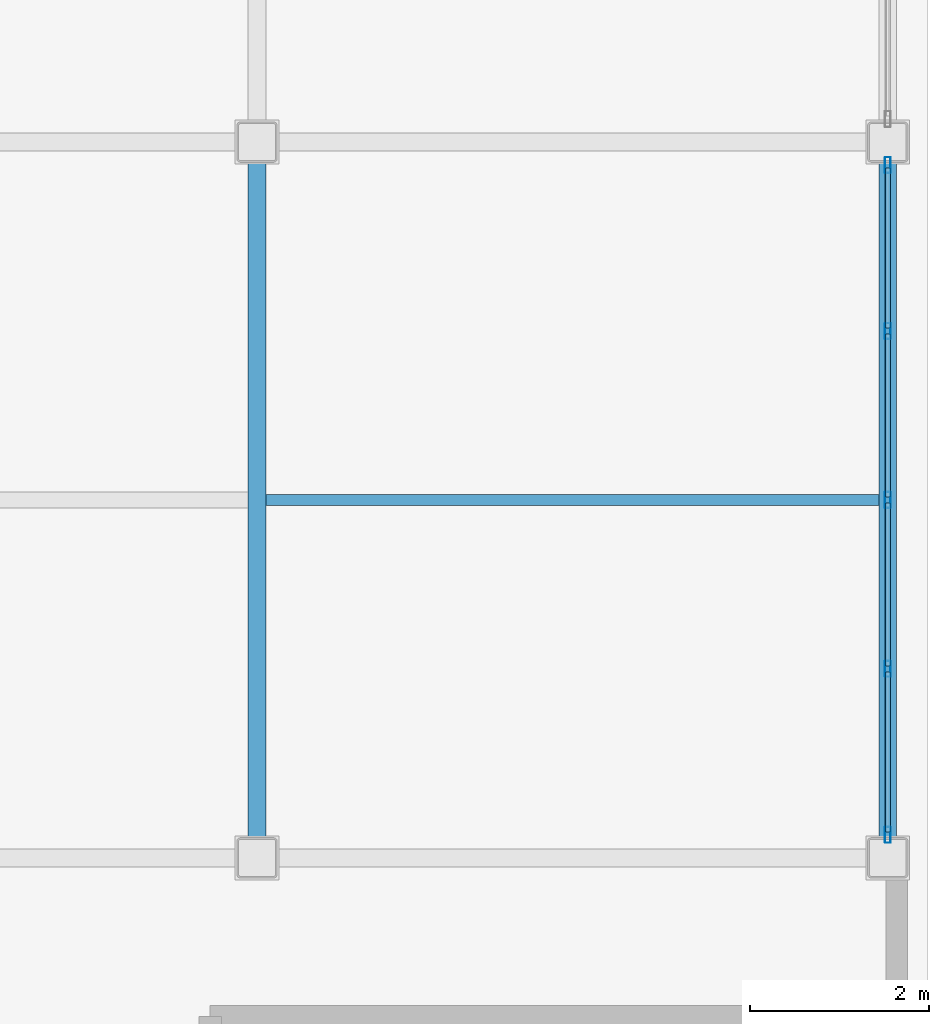
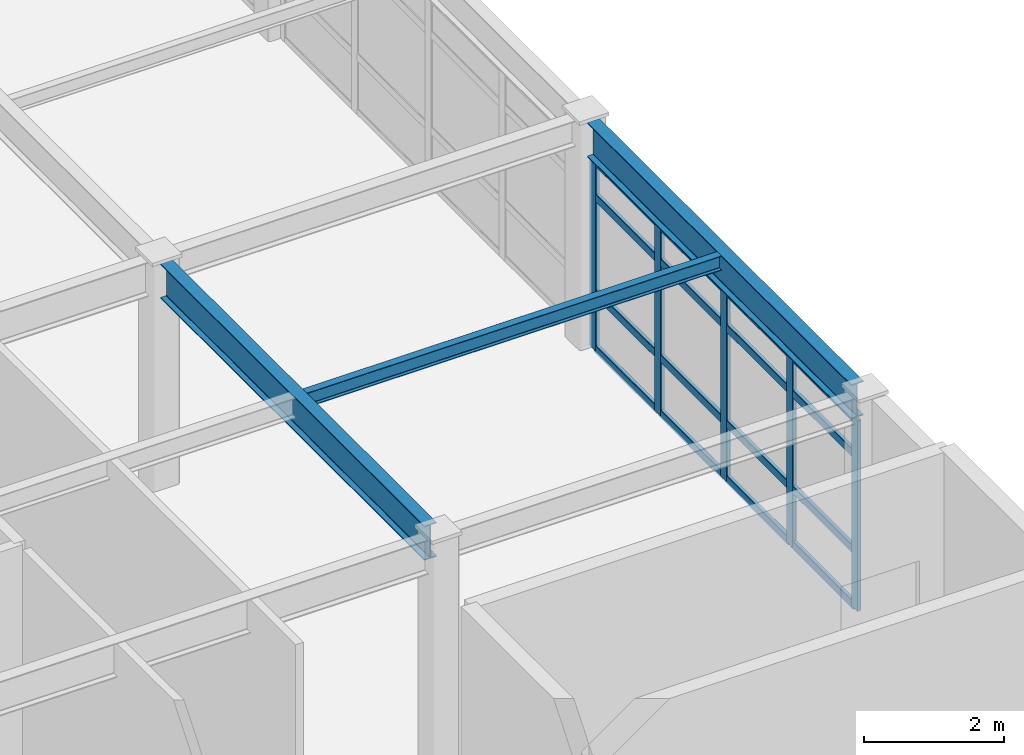
# One storey, part 8 of 34: 21 members, 3 beams, 1 element without a shape of its own.
"""IFC4 building model written with IfcOpenShell, lengths in metres."""

from ifc_helpers import new_model, si_unit, direction, frame, origin, origin_2d, place, context, subcontext, project, spatial, hollow_rectangle, i_section, extrude, material, layer, layer_set, material_profile, profile_set, type_object, element, aggregate, save


model = new_model("IFC4")

# Units and contexts
model_context = context("Model", 3, precision=1e-05, world=origin(), true_north=direction((0.0, 1.0)))
body_context = subcontext(model_context, "Body", "Model", "MODEL_VIEW")
ifc_project = project(units=[si_unit("LENGTHUNIT", "METRE"), si_unit("AREAUNIT", "SQUARE_METRE"), si_unit("VOLUMEUNIT", "CUBIC_METRE"), si_unit("PLANEANGLEUNIT", "RADIAN"), si_unit("MASSUNIT", "GRAM", prefix="KILO")], contexts=[model_context])

# Site, building, storey
site_placement = place(None, origin())
site = spatial("IfcSite", under=ifc_project, at=site_placement, CompositionType="ELEMENT")
building_placement = place(site_placement, origin())
building = spatial("IfcBuilding", under=site, at=building_placement, Name="Kazehara Bluff Congress Hotel", CompositionType="ELEMENT")
storey_placement = place(building_placement, frame((0.0, 0.0, 46.199951171875)))
storey = spatial("IfcBuildingStorey", under=building, at=storey_placement, Name="L11", CompositionType="ELEMENT", Elevation=46.199951171875)

# Curtain wall, members
ifc_material_1 = material(Name="Anodised aluminium", Category="aluminium")
ifc_layer = layer(ifc_material_1, 0.159912109375)
ifc_layer_set = layer_set([ifc_layer], Name="Anodised aluminium")
curtain_wall_type = type_object("IfcCurtainWallType", Name="TP-CW-84", PredefinedType="NOTDEFINED", material=ifc_layer_set)
curtain_wall_placement = place(storey_placement, origin())
curtain_wall = element("IfcCurtainWall", 1, at=curtain_wall_placement, inside=storey, type_object=curtain_wall_type, Name="L11 curtain wall CW-84 CW-V5-L11-X16755-2422", PredefinedType="NOTDEFINED")
ifc_material_2 = material(Name="Anodised aluminium", Category="aluminium")
ifc_material_profile_1 = material_profile(ifc_material_2, hollow_rectangle(XDim=0.06494140625, YDim=0.179931640625, WallThickness=0.00390625, InnerFilletRadius=0.00390625, OuterFilletRadius=0.008056640625, at=origin_2d()))
ifc_profile_set_1 = profile_set([ifc_material_profile_1], Name="Anodised aluminium")
member_type_1 = type_object("IfcMemberType", Name="TP-CWM-02", PredefinedType="MULLION", material=ifc_profile_set_1)
member_1_placement = place(storey_placement, frame((167.550048828125, 24.257568359375, 0.0), z_axis=(0.0, 0.0, 1.0), x_axis=(-1.0, 0.0, 0.0)))
member_1 = element("IfcMember", 2, at=member_1_placement, type_object=member_type_1, Name="CW-84 mullion 1", PredefinedType="MULLION", context=body_context, shape_type="SweptSolid", body=[
    extrude(hollow_rectangle(XDim=0.06494140625, YDim=0.179931640625, WallThickness=0.00390625, InnerFilletRadius=0.00390625, OuterFilletRadius=0.008056640625, at=origin_2d()), origin(), (0.0, 0.0, 1.0), 3.324951171875),
])
member_2_placement = place(storey_placement, frame((167.550048828125, 26.112548828125, 0.0), z_axis=(0.0, 0.0, 1.0), x_axis=(-1.0, 0.0, 0.0)))
member_2 = element("IfcMember", 3, at=member_2_placement, type_object=member_type_1, Name="CW-84 mullion 2", PredefinedType="MULLION", context=body_context, shape_type="SweptSolid", body=[
    extrude(hollow_rectangle(XDim=0.06494140625, YDim=0.179931640625, WallThickness=0.00390625, InnerFilletRadius=0.00390625, OuterFilletRadius=0.008056640625, at=origin_2d()), origin(), (0.0, 0.0, 1.0), 3.324951171875),
])
member_3_placement = place(storey_placement, frame((167.550048828125, 28.0, 0.0), z_axis=(0.0, 0.0, 1.0), x_axis=(-1.0, 0.0, 0.0)))
member_3 = element("IfcMember", 4, at=member_3_placement, type_object=member_type_1, Name="CW-84 mullion 3", PredefinedType="MULLION", context=body_context, shape_type="SweptSolid", body=[
    extrude(hollow_rectangle(XDim=0.06494140625, YDim=0.179931640625, WallThickness=0.00390625, InnerFilletRadius=0.00390625, OuterFilletRadius=0.008056640625, at=origin_2d()), origin(), (0.0, 0.0, 1.0), 3.324951171875),
])
member_4_placement = place(storey_placement, frame((167.550048828125, 29.887451171875, 0.0), z_axis=(0.0, 0.0, 1.0), x_axis=(-1.0, 0.0, 0.0)))
member_4 = element("IfcMember", 5, at=member_4_placement, type_object=member_type_1, Name="CW-84 mullion 4", PredefinedType="MULLION", context=body_context, shape_type="SweptSolid", body=[
    extrude(hollow_rectangle(XDim=0.06494140625, YDim=0.179931640625, WallThickness=0.00390625, InnerFilletRadius=0.00390625, OuterFilletRadius=0.008056640625, at=origin_2d()), origin(), (0.0, 0.0, 1.0), 3.324951171875),
])
member_5_placement = place(storey_placement, frame((167.550048828125, 31.742431640625, 0.0), z_axis=(0.0, 0.0, 1.0), x_axis=(-1.0, 0.0, 0.0)))
member_5 = element("IfcMember", 6, at=member_5_placement, type_object=member_type_1, Name="CW-84 mullion 5", PredefinedType="MULLION", context=body_context, shape_type="SweptSolid", body=[
    extrude(hollow_rectangle(XDim=0.06494140625, YDim=0.179931640625, WallThickness=0.00390625, InnerFilletRadius=0.00390625, OuterFilletRadius=0.008056640625, at=origin_2d()), origin(), (0.0, 0.0, 1.0), 3.324951171875),
])
ifc_material_3 = material(Name="Anodised aluminium", Category="aluminium")
ifc_material_profile_2 = material_profile(ifc_material_3, hollow_rectangle(XDim=0.06494140625, YDim=0.139892578125, WallThickness=0.00390625, InnerFilletRadius=0.00390625, OuterFilletRadius=0.008056640625, at=origin_2d()))
ifc_profile_set_2 = profile_set([ifc_material_profile_2], Name="Anodised aluminium")
member_type_2 = type_object("IfcMemberType", Name="TP-CWT-02", PredefinedType="USERDEFINED", material=ifc_profile_set_2)
member_6_placement = place(storey_placement, frame((167.550048828125, 24.2900390625, 0.032470703125), z_axis=(0.0, 1.0, 0.0), x_axis=(-1.0, 0.0, 0.0)))
member_6 = element("IfcMember", 7, at=member_6_placement, type_object=member_type_2, Name="CW-84 transom 1.1", ObjectType="TRANSOM", PredefinedType="USERDEFINED", context=body_context, shape_type="SweptSolid", body=[
    extrude(hollow_rectangle(XDim=0.06494140625, YDim=0.139892578125, WallThickness=0.00390625, InnerFilletRadius=0.00390625, OuterFilletRadius=0.008056640625, at=origin_2d()), origin(), (0.0, 0.0, 1.0), 1.7900390625),
])
member_7_placement = place(storey_placement, frame((167.550048828125, 24.2900390625, 1.0), z_axis=(0.0, 1.0, 0.0), x_axis=(-1.0, 0.0, 0.0)))
member_7 = element("IfcMember", 8, at=member_7_placement, type_object=member_type_2, Name="CW-84 transom 1.2", ObjectType="TRANSOM", PredefinedType="USERDEFINED", context=body_context, shape_type="SweptSolid", body=[
    extrude(hollow_rectangle(XDim=0.06494140625, YDim=0.139892578125, WallThickness=0.00390625, InnerFilletRadius=0.00390625, OuterFilletRadius=0.008056640625, at=origin_2d()), origin(), (0.0, 0.0, 1.0), 1.7900390625),
])
member_8_placement = place(storey_placement, frame((167.550048828125, 24.2900390625, 2.675048828125), z_axis=(0.0, 1.0, 0.0), x_axis=(-1.0, 0.0, 0.0)))
member_8 = element("IfcMember", 9, at=member_8_placement, type_object=member_type_2, Name="CW-84 transom 1.3", ObjectType="TRANSOM", PredefinedType="USERDEFINED", context=body_context, shape_type="SweptSolid", body=[
    extrude(hollow_rectangle(XDim=0.06494140625, YDim=0.139892578125, WallThickness=0.00390625, InnerFilletRadius=0.00390625, OuterFilletRadius=0.008056640625, at=origin_2d()), origin(), (0.0, 0.0, 1.0), 1.7900390625),
])
member_9_placement = place(storey_placement, frame((167.550048828125, 24.2900390625, 3.29248046875), z_axis=(0.0, 1.0, 0.0), x_axis=(-1.0, 0.0, 0.0)))
member_9 = element("IfcMember", 10, at=member_9_placement, type_object=member_type_2, Name="CW-84 transom 1.4", ObjectType="TRANSOM", PredefinedType="USERDEFINED", context=body_context, shape_type="SweptSolid", body=[
    extrude(hollow_rectangle(XDim=0.06494140625, YDim=0.139892578125, WallThickness=0.00390625, InnerFilletRadius=0.00390625, OuterFilletRadius=0.008056640625, at=origin_2d()), origin(), (0.0, 0.0, 1.0), 1.7900390625),
])
member_10_placement = place(storey_placement, frame((167.550048828125, 26.14501953125, 0.032470703125), z_axis=(0.0, 1.0, 0.0), x_axis=(-1.0, 0.0, 0.0)))
member_10 = element("IfcMember", 11, at=member_10_placement, type_object=member_type_2, Name="CW-84 transom 2.1", ObjectType="TRANSOM", PredefinedType="USERDEFINED", context=body_context, shape_type="SweptSolid", body=[
    extrude(hollow_rectangle(XDim=0.06494140625, YDim=0.139892578125, WallThickness=0.00390625, InnerFilletRadius=0.00390625, OuterFilletRadius=0.008056640625, at=origin_2d()), origin(), (0.0, 0.0, 1.0), 1.822509765625),
])
member_11_placement = place(storey_placement, frame((167.550048828125, 26.14501953125, 1.0), z_axis=(0.0, 1.0, 0.0), x_axis=(-1.0, 0.0, 0.0)))
member_11 = element("IfcMember", 12, at=member_11_placement, type_object=member_type_2, Name="CW-84 transom 2.2", ObjectType="TRANSOM", PredefinedType="USERDEFINED", context=body_context, shape_type="SweptSolid", body=[
    extrude(hollow_rectangle(XDim=0.06494140625, YDim=0.139892578125, WallThickness=0.00390625, InnerFilletRadius=0.00390625, OuterFilletRadius=0.008056640625, at=origin_2d()), origin(), (0.0, 0.0, 1.0), 1.822509765625),
])
member_12_placement = place(storey_placement, frame((167.550048828125, 26.14501953125, 2.675048828125), z_axis=(0.0, 1.0, 0.0), x_axis=(-1.0, 0.0, 0.0)))
member_12 = element("IfcMember", 13, at=member_12_placement, type_object=member_type_2, Name="CW-84 transom 2.3", ObjectType="TRANSOM", PredefinedType="USERDEFINED", context=body_context, shape_type="SweptSolid", body=[
    extrude(hollow_rectangle(XDim=0.06494140625, YDim=0.139892578125, WallThickness=0.00390625, InnerFilletRadius=0.00390625, OuterFilletRadius=0.008056640625, at=origin_2d()), origin(), (0.0, 0.0, 1.0), 1.822509765625),
])
member_13_placement = place(storey_placement, frame((167.550048828125, 26.14501953125, 3.29248046875), z_axis=(0.0, 1.0, 0.0), x_axis=(-1.0, 0.0, 0.0)))
member_13 = element("IfcMember", 14, at=member_13_placement, type_object=member_type_2, Name="CW-84 transom 2.4", ObjectType="TRANSOM", PredefinedType="USERDEFINED", context=body_context, shape_type="SweptSolid", body=[
    extrude(hollow_rectangle(XDim=0.06494140625, YDim=0.139892578125, WallThickness=0.00390625, InnerFilletRadius=0.00390625, OuterFilletRadius=0.008056640625, at=origin_2d()), origin(), (0.0, 0.0, 1.0), 1.822509765625),
])
member_14_placement = place(storey_placement, frame((167.550048828125, 28.032470703125, 0.032470703125), z_axis=(0.0, 1.0, 0.0), x_axis=(-1.0, 0.0, 0.0)))
member_14 = element("IfcMember", 15, at=member_14_placement, type_object=member_type_2, Name="CW-84 transom 3.1", ObjectType="TRANSOM", PredefinedType="USERDEFINED", context=body_context, shape_type="SweptSolid", body=[
    extrude(hollow_rectangle(XDim=0.06494140625, YDim=0.139892578125, WallThickness=0.00390625, InnerFilletRadius=0.00390625, OuterFilletRadius=0.008056640625, at=origin_2d()), origin(), (0.0, 0.0, 1.0), 1.822509765625),
])
member_15_placement = place(storey_placement, frame((167.550048828125, 28.032470703125, 1.0), z_axis=(0.0, 1.0, 0.0), x_axis=(-1.0, 0.0, 0.0)))
member_15 = element("IfcMember", 16, at=member_15_placement, type_object=member_type_2, Name="CW-84 transom 3.2", ObjectType="TRANSOM", PredefinedType="USERDEFINED", context=body_context, shape_type="SweptSolid", body=[
    extrude(hollow_rectangle(XDim=0.06494140625, YDim=0.139892578125, WallThickness=0.00390625, InnerFilletRadius=0.00390625, OuterFilletRadius=0.008056640625, at=origin_2d()), origin(), (0.0, 0.0, 1.0), 1.822509765625),
])
member_16_placement = place(storey_placement, frame((167.550048828125, 28.032470703125, 2.675048828125), z_axis=(0.0, 1.0, 0.0), x_axis=(-1.0, 0.0, 0.0)))
member_16 = element("IfcMember", 17, at=member_16_placement, type_object=member_type_2, Name="CW-84 transom 3.3", ObjectType="TRANSOM", PredefinedType="USERDEFINED", context=body_context, shape_type="SweptSolid", body=[
    extrude(hollow_rectangle(XDim=0.06494140625, YDim=0.139892578125, WallThickness=0.00390625, InnerFilletRadius=0.00390625, OuterFilletRadius=0.008056640625, at=origin_2d()), origin(), (0.0, 0.0, 1.0), 1.822509765625),
])
member_17_placement = place(storey_placement, frame((167.550048828125, 28.032470703125, 3.29248046875), z_axis=(0.0, 1.0, 0.0), x_axis=(-1.0, 0.0, 0.0)))
member_17 = element("IfcMember", 18, at=member_17_placement, type_object=member_type_2, Name="CW-84 transom 3.4", ObjectType="TRANSOM", PredefinedType="USERDEFINED", context=body_context, shape_type="SweptSolid", body=[
    extrude(hollow_rectangle(XDim=0.06494140625, YDim=0.139892578125, WallThickness=0.00390625, InnerFilletRadius=0.00390625, OuterFilletRadius=0.008056640625, at=origin_2d()), origin(), (0.0, 0.0, 1.0), 1.822509765625),
])
member_18_placement = place(storey_placement, frame((167.550048828125, 29.919921875, 0.032470703125), z_axis=(0.0, 1.0, 0.0), x_axis=(-1.0, 0.0, 0.0)))
member_18 = element("IfcMember", 19, at=member_18_placement, type_object=member_type_2, Name="CW-84 transom 4.1", ObjectType="TRANSOM", PredefinedType="USERDEFINED", context=body_context, shape_type="SweptSolid", body=[
    extrude(hollow_rectangle(XDim=0.06494140625, YDim=0.139892578125, WallThickness=0.00390625, InnerFilletRadius=0.00390625, OuterFilletRadius=0.008056640625, at=origin_2d()), origin(), (0.0, 0.0, 1.0), 1.7900390625),
])
member_19_placement = place(storey_placement, frame((167.550048828125, 29.919921875, 1.0), z_axis=(0.0, 1.0, 0.0), x_axis=(-1.0, 0.0, 0.0)))
member_19 = element("IfcMember", 20, at=member_19_placement, type_object=member_type_2, Name="CW-84 transom 4.2", ObjectType="TRANSOM", PredefinedType="USERDEFINED", context=body_context, shape_type="SweptSolid", body=[
    extrude(hollow_rectangle(XDim=0.06494140625, YDim=0.139892578125, WallThickness=0.00390625, InnerFilletRadius=0.00390625, OuterFilletRadius=0.008056640625, at=origin_2d()), origin(), (0.0, 0.0, 1.0), 1.7900390625),
])
member_20_placement = place(storey_placement, frame((167.550048828125, 29.919921875, 2.675048828125), z_axis=(0.0, 1.0, 0.0), x_axis=(-1.0, 0.0, 0.0)))
member_20 = element("IfcMember", 21, at=member_20_placement, type_object=member_type_2, Name="CW-84 transom 4.3", ObjectType="TRANSOM", PredefinedType="USERDEFINED", context=body_context, shape_type="SweptSolid", body=[
    extrude(hollow_rectangle(XDim=0.06494140625, YDim=0.139892578125, WallThickness=0.00390625, InnerFilletRadius=0.00390625, OuterFilletRadius=0.008056640625, at=origin_2d()), origin(), (0.0, 0.0, 1.0), 1.7900390625),
])
member_21_placement = place(storey_placement, frame((167.550048828125, 29.919921875, 3.29248046875), z_axis=(0.0, 1.0, 0.0), x_axis=(-1.0, 0.0, 0.0)))
member_21 = element("IfcMember", 22, at=member_21_placement, type_object=member_type_2, Name="CW-84 transom 4.4", ObjectType="TRANSOM", PredefinedType="USERDEFINED", context=body_context, shape_type="SweptSolid", body=[
    extrude(hollow_rectangle(XDim=0.06494140625, YDim=0.139892578125, WallThickness=0.00390625, InnerFilletRadius=0.00390625, OuterFilletRadius=0.008056640625, at=origin_2d()), origin(), (0.0, 0.0, 1.0), 1.7900390625),
])
aggregate(curtain_wall, [member_1, member_2, member_3, member_4, member_5, member_6, member_7, member_8, member_9, member_10, member_11, member_12, member_13, member_14, member_15, member_16, member_17, member_18, member_19, member_20, member_21])

# Beams
ifc_material_4 = material(Name="Steel SN490B", Category="steel")
ifc_material_profile_3 = material_profile(ifc_material_4, i_section(OverallWidth=0.199951171875, OverallDepth=0.60009765625, WebThickness=0.010986328125, FlangeThickness=0.01708984375, FilletRadius=0.012939453125, at=origin_2d()))
ifc_profile_set_3 = profile_set([ifc_material_profile_3], Name="Steel SN490B")
beam_type_1 = type_object("IfcBeamType", Name="TP-G-02", PredefinedType="BEAM", material=ifc_profile_set_3)
for number, where, z_axis, x_axis, name in (
    (23, (160.5, 24.22509765625, 3.650146484375), (0.0, 1.0, 0.0), (-1.0, 0.0, 0.0), "L11 girder G-02 15"),
    (24, (167.550048828125, 24.22509765625, 3.650146484375), (0.0, 1.0, 0.0), (-1.0, 0.0, 0.0), "L11 girder G-02 20"),
):
    element("IfcBeam", number, at=place(storey_placement, frame(where, z_axis=z_axis, x_axis=x_axis)), inside=storey, type_object=beam_type_1, Name=name, PredefinedType="BEAM", context=body_context, shape_type="SweptSolid", body=[
        extrude(i_section(OverallWidth=0.199951171875, OverallDepth=0.60009765625, WebThickness=0.010986328125, FlangeThickness=0.01708984375, FilletRadius=0.012939453125, at=origin_2d()), origin(), (0.0, 0.0, 1.0), 7.5498046875),
    ])
ifc_material_5 = material(Name="Steel SN400B", Category="steel")
ifc_material_profile_4 = material_profile(ifc_material_5, i_section(OverallWidth=0.125, OverallDepth=0.25, WebThickness=0.006103515625, FlangeThickness=0.009033203125, FilletRadius=0.008056640625, at=origin_2d()))
ifc_profile_set_4 = profile_set([ifc_material_profile_4], Name="Steel SN400B")
beam_type_2 = type_object("IfcBeamType", Name="TP-J-05", PredefinedType="JOIST", material=ifc_profile_set_4)
beam_placement = place(storey_placement, frame((160.60009765625, 28.0, 3.824951171875), z_axis=(1.0, 0.0, 0.0), x_axis=(0.0, 1.0, 0.0)))
element("IfcBeam", 25, at=beam_placement, inside=storey, type_object=beam_type_2, Name="L11 secondary joist J-05 8", PredefinedType="JOIST", context=body_context, shape_type="SweptSolid", body=[
    extrude(i_section(OverallWidth=0.125, OverallDepth=0.25, WebThickness=0.006103515625, FlangeThickness=0.009033203125, FilletRadius=0.008056640625, at=origin_2d()), origin(), (0.0, 0.0, 1.0), 6.849853515625),
])

save(model, "model.ifc")
